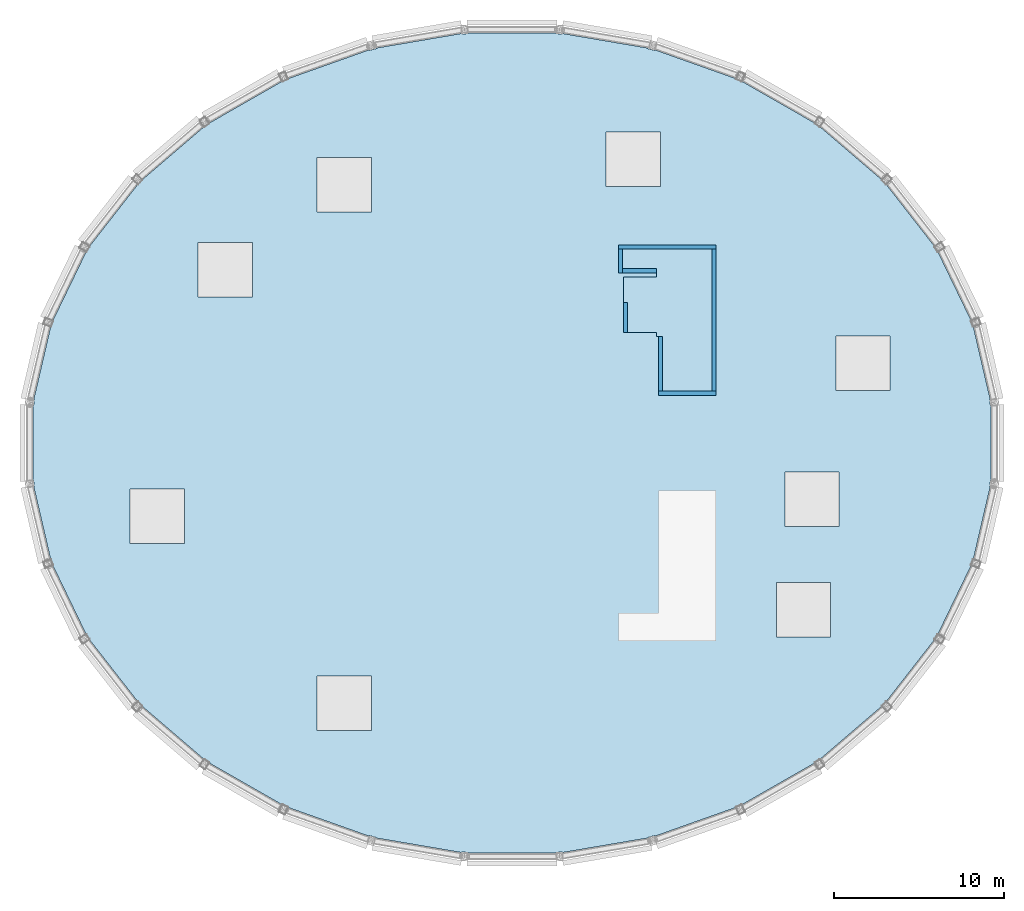
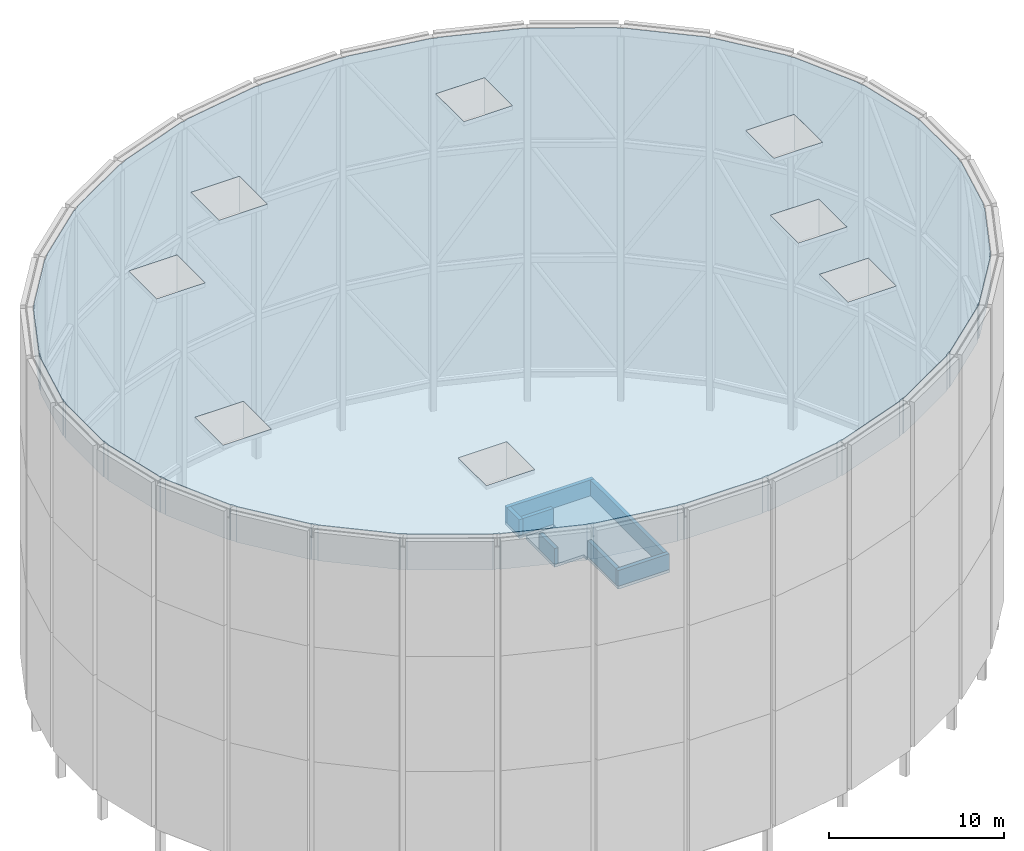
# One storey, part 7 of 8: 7 walls, 1 roof, 1 slab.
"""IFC4 building model written with IfcOpenShell, lengths in metres."""

from ifc_helpers import new_model, si_unit, direction, frame, frame_2d, origin, place, context, subcontext, project, spatial, polyline, rectangle, outline, extrude, material, layer, layer_set, type_object, element, save


model = new_model("IFC4")

# Units and contexts
model_context = context("Model", 3, precision=1e-05, world=origin(), true_north=direction((0.0, 1.0)))
body_context = subcontext(model_context, "Body", "Model", "MODEL_VIEW")
ifc_project = project(units=[si_unit("LENGTHUNIT", "METRE"), si_unit("AREAUNIT", "SQUARE_METRE"), si_unit("VOLUMEUNIT", "CUBIC_METRE"), si_unit("PLANEANGLEUNIT", "RADIAN"), si_unit("MASSUNIT", "GRAM", prefix="KILO")], contexts=[model_context])

# Site, building, storey
site_placement = place(None, origin())
site = spatial("IfcSite", under=ifc_project, at=site_placement, CompositionType="ELEMENT")
building_placement = place(site_placement, origin())
building = spatial("IfcBuilding", under=site, at=building_placement, Name="Halqa Exchange Tower", CompositionType="ELEMENT")
storey_placement = place(building_placement, frame((0.0, 0.0, 355.300048828125)))
storey = spatial("IfcBuildingStorey", under=building, at=storey_placement, Name="Roof level crown frame", CompositionType="ELEMENT", Elevation=355.300048828125)

# Slab
ifc_material_1 = material(Name="Concrete C30/37", Category="concrete")
ifc_layer_1 = layer(ifc_material_1, 0.199951171875)
ifc_layer_set_1 = layer_set([ifc_layer_1], Name="Concrete C30/37")
slab_type = type_object("IfcSlabType", Name="Head-house roof slab 200", PredefinedType="ROOF", material=ifc_layer_set_1)
slab_placement = place(storey_placement, frame((0.0, 0.0, -0.199951171875)))
element("IfcSlab", 1, at=slab_placement, inside=storey, type_object=slab_type, Name="Penthouse roof FF-N", PredefinedType="ROOF", context=body_context, shape_type="SweptSolid", body=[
    extrude(outline(polyline([(8.60009765625, 2.800048828125), (12.0, 2.800048828125), (12.0, 11.64990234375), (6.25, 11.64990234375), (6.25, 10.0), (8.5, 10.0), (8.5, 9.75), (6.550048828125, 9.75), (6.550048828125, 6.5), (8.5, 6.5), (8.5, 6.25), (8.60009765625, 6.25), (8.60009765625, 2.800048828125)])), origin(), (0.0, 0.0, 1.0), 0.199951171875),
])

# Walls
ifc_layer_2 = layer(ifc_material_1, 0.25)
ifc_layer_set_2 = layer_set([ifc_layer_2], Name="Concrete C30/37")
wall_type = type_object("IfcWallType", Name="Roof parapet 250 concrete", PredefinedType="PARAPET", material=ifc_layer_set_2)
wall_1_placement = place(storey_placement, frame((6.25, 11.52490234375, 0.0), z_axis=(0.0, 0.0, 1.0), x_axis=(1.0, 0.0, 0.0)))
element("IfcWall", 2, at=wall_1_placement, inside=storey, type_object=wall_type, Name="Roof parapet north", PredefinedType="PARAPET", context=body_context, shape_type="SweptSolid", body=[
    extrude(rectangle(XDim=5.75, YDim=0.25, at=frame_2d((2.875, 0.0))), origin(), (0.0, 0.0, 1.0), 1.099853515625),
])
wall_2_placement = place(storey_placement, frame((11.875, 3.050048828125, 0.0), z_axis=(0.0, 0.0, 1.0), x_axis=(0.0, 1.0, 0.0)))
element("IfcWall", 3, at=wall_2_placement, inside=storey, type_object=wall_type, Name="Roof parapet east", PredefinedType="PARAPET", context=body_context, shape_type="SweptSolid", body=[
    extrude(rectangle(XDim=8.349853515625, YDim=0.25, at=frame_2d((4.1748046875, 0.0))), origin(), (0.0, 0.0, 1.0), 1.099853515625),
])
wall_3_placement = place(storey_placement, frame((8.60009765625, 2.925048828125, 0.0), z_axis=(0.0, 0.0, 1.0), x_axis=(1.0, 0.0, 0.0)))
element("IfcWall", 4, at=wall_3_placement, inside=storey, type_object=wall_type, Name="Roof parapet south", PredefinedType="PARAPET", context=body_context, shape_type="SweptSolid", body=[
    extrude(rectangle(XDim=3.39990234375, YDim=0.25, at=frame_2d((1.699951171875, 0.0))), origin(), (0.0, 0.0, 1.0), 1.099853515625),
])
wall_4_placement = place(storey_placement, frame((8.72509765625, 3.050048828125, 0.0), z_axis=(0.0, 0.0, 1.0), x_axis=(0.0, 1.0, 0.0)))
element("IfcWall", 5, at=wall_4_placement, inside=storey, type_object=wall_type, Name="Roof parapet south west", PredefinedType="PARAPET", context=body_context, shape_type="SweptSolid", body=[
    extrude(rectangle(XDim=3.199951171875, YDim=0.25, at=frame_2d((1.60009765625, 0.0))), origin(), (0.0, 0.0, 1.0), 1.099853515625),
])
wall_5_placement = place(storey_placement, frame((6.375, 10.0, 0.0), z_axis=(0.0, 0.0, 1.0), x_axis=(0.0, 1.0, 0.0)))
element("IfcWall", 6, at=wall_5_placement, inside=storey, type_object=wall_type, Name="Roof parapet north west", PredefinedType="PARAPET", context=body_context, shape_type="SweptSolid", body=[
    extrude(rectangle(XDim=1.39990234375, YDim=0.25, at=frame_2d((0.699951171875, 0.0))), origin(), (0.0, 0.0, 1.0), 1.099853515625),
])
wall_6_placement = place(storey_placement, frame((6.25, 10.125, 0.0), z_axis=(0.0, 0.0, 1.0), x_axis=(1.0, 0.0, 0.0)))
element("IfcWall", 7, at=wall_6_placement, inside=storey, type_object=wall_type, Name="Roof parapet north arm south", PredefinedType="PARAPET", context=body_context, shape_type="SweptSolid", body=[
    extrude(rectangle(XDim=2.25, YDim=0.25, at=frame_2d((1.125, 0.0))), origin(), (0.0, 0.0, 1.0), 1.099853515625),
])
wall_7_placement = place(storey_placement, frame((6.675048828125, 6.5, 0.0), z_axis=(0.0, 0.0, 1.0), x_axis=(0.0, 1.0, 0.0)))
element("IfcWall", 8, at=wall_7_placement, inside=storey, type_object=wall_type, Name="Roof parapet well edge", PredefinedType="PARAPET", context=body_context, shape_type="SweptSolid", body=[
    extrude(rectangle(XDim=1.75, YDim=0.25, at=frame_2d((0.875, 0.0))), origin(), (0.0, 0.0, 1.0), 1.099853515625),
])

# Roof
ifc_material_2 = material(Name="Steel S355", Category="steel")
ifc_layer_3 = layer(ifc_material_2, 2.5)
ifc_layer_set_3 = layer_set([ifc_layer_3], Name="Steel S355")
roof_type = type_object("IfcRoofType", Name="Crown roof steel space frame 2500", PredefinedType="FLAT_ROOF", material=ifc_layer_set_3)
roof_placement = place(storey_placement, frame((0.0, 0.0, 23.5)))
element("IfcRoof", 9, at=roof_placement, inside=storey, type_object=roof_type, Name="Crown roof", PredefinedType="FLAT_ROOF", context=body_context, shape_type="SweptSolid", body=[
    extrude(outline(polyline([(28.1328125, -2.16162109375), (28.162841796875, -2.1650390625), (28.162841796875, 2.1650390625), (28.1328125, 2.16162109375), (28.086181640625, 2.56884765625), (28.1162109375, 2.572509765625), (27.129638671875, 6.822998046875), (27.100830078125, 6.81298828125), (26.964111328125, 7.199462890625), (26.993408203125, 7.209716796875), (25.0537109375, 11.223388671875), (25.02685546875, 11.206787109375), (24.809814453125, 11.5546875), (24.83740234375, 11.57177734375), (22.01220703125, 15.19580078125), (21.98828125, 15.1728515625), (21.704833984375, 15.468994140625), (21.729248046875, 15.492431640625), (18.12109375, 18.585205078125), (18.101318359375, 18.55712890625), (17.765869140625, 18.79296875), (17.785888671875, 18.821533203125), (13.52978515625, 21.25927734375), (13.514892578125, 21.226806640625), (13.14208984375, 21.397705078125), (13.1572265625, 21.430419921875), (8.41650390625, 23.113525390625), (8.4072265625, 23.078369140625), (8.010498046875, 23.181396484375), (8.019775390625, 23.217041015625), (2.9794921875, 24.076416015625), (2.976318359375, 24.039794921875), (2.56787109375, 24.07421875), (2.57080078125, 24.111083984375), (-2.57080078125, 24.111083984375), (-2.56787109375, 24.07421875), (-2.976318359375, 24.039794921875), (-2.9794921875, 24.076416015625), (-8.019775390625, 23.217041015625), (-8.010498046875, 23.181396484375), (-8.4072265625, 23.078369140625), (-8.41650390625, 23.113525390625), (-13.1572265625, 21.430419921875), (-13.14208984375, 21.397705078125), (-13.514892578125, 21.226806640625), (-13.52978515625, 21.25927734375), (-17.785888671875, 18.821533203125), (-17.765869140625, 18.79296875), (-18.101318359375, 18.55712890625), (-18.12109375, 18.585205078125), (-21.729248046875, 15.492431640625), (-21.704833984375, 15.468994140625), (-21.98828125, 15.1728515625), (-22.01220703125, 15.19580078125), (-24.83740234375, 11.57177734375), (-24.809814453125, 11.5546875), (-25.02685546875, 11.206787109375), (-25.0537109375, 11.223388671875), (-26.993408203125, 7.209716796875), (-26.964111328125, 7.199462890625), (-27.100830078125, 6.81298828125), (-27.129638671875, 6.822998046875), (-28.1162109375, 2.572509765625), (-28.086181640625, 2.56884765625), (-28.1328125, 2.16162109375), (-28.162841796875, 2.1650390625), (-28.162841796875, -2.1650390625), (-28.1328125, -2.16162109375), (-28.086181640625, -2.56884765625), (-28.1162109375, -2.572509765625), (-27.129638671875, -6.822998046875), (-27.100830078125, -6.81298828125), (-26.964111328125, -7.199462890625), (-26.993408203125, -7.209716796875), (-25.0537109375, -11.223388671875), (-25.02685546875, -11.206787109375), (-24.809814453125, -11.5546875), (-24.83740234375, -11.57177734375), (-22.01220703125, -15.19580078125), (-21.98828125, -15.1728515625), (-21.704833984375, -15.468994140625), (-21.729248046875, -15.492431640625), (-18.12109375, -18.585205078125), (-18.101318359375, -18.55712890625), (-17.765869140625, -18.79296875), (-17.785888671875, -18.821533203125), (-13.52978515625, -21.25927734375), (-13.514892578125, -21.226806640625), (-13.14208984375, -21.397705078125), (-13.1572265625, -21.430419921875), (-8.41650390625, -23.113525390625), (-8.4072265625, -23.078369140625), (-8.010498046875, -23.181396484375), (-8.019775390625, -23.217041015625), (-2.9794921875, -24.076416015625), (-2.976318359375, -24.039794921875), (-2.56787109375, -24.07421875), (-2.57080078125, -24.111083984375), (2.57080078125, -24.111083984375), (2.56787109375, -24.07421875), (2.976318359375, -24.039794921875), (2.9794921875, -24.076416015625), (8.019775390625, -23.217041015625), (8.010498046875, -23.181396484375), (8.4072265625, -23.078369140625), (8.41650390625, -23.113525390625), (13.1572265625, -21.430419921875), (13.14208984375, -21.397705078125), (13.514892578125, -21.226806640625), (13.52978515625, -21.25927734375), (17.785888671875, -18.821533203125), (17.765869140625, -18.79296875), (18.101318359375, -18.55712890625), (18.12109375, -18.585205078125), (21.729248046875, -15.492431640625), (21.704833984375, -15.468994140625), (21.98828125, -15.1728515625), (22.01220703125, -15.19580078125), (24.83740234375, -11.57177734375), (24.809814453125, -11.5546875), (25.02685546875, -11.206787109375), (25.0537109375, -11.223388671875), (26.993408203125, -7.209716796875), (26.964111328125, -7.199462890625), (27.100830078125, -6.81298828125), (27.129638671875, -6.822998046875), (28.1162109375, -2.572509765625), (28.086181640625, -2.56884765625), (28.1328125, -2.16162109375)]), holes=[polyline([(-11.462890625, -13.7109375), (-8.262939453125, -13.7109375), (-8.262939453125, -16.910888671875), (-11.462890625, -16.910888671875), (-11.462890625, -13.7109375)]), polyline([(15.537109375, -8.2109375), (18.737060546875, -8.2109375), (18.737060546875, -11.410888671875), (15.537109375, -11.410888671875), (15.537109375, -8.2109375)]), polyline([(-22.462890625, -2.7109375), (-19.262939453125, -2.7109375), (-19.262939453125, -5.910888671875), (-22.462890625, -5.910888671875), (-22.462890625, -2.7109375)]), polyline([(16.037109375, -1.7109375), (19.237060546875, -1.7109375), (19.237060546875, -4.910888671875), (16.037109375, -4.910888671875), (16.037109375, -1.7109375)]), polyline([(19.037109375, 6.2890625), (22.237060546875, 6.2890625), (22.237060546875, 3.089111328125), (19.037109375, 3.089111328125), (19.037109375, 6.2890625)]), polyline([(-18.462890625, 11.7890625), (-15.262939453125, 11.7890625), (-15.262939453125, 8.589111328125), (-18.462890625, 8.589111328125), (-18.462890625, 11.7890625)]), polyline([(-11.462890625, 16.7890625), (-8.262939453125, 16.7890625), (-8.262939453125, 13.589111328125), (-11.462890625, 13.589111328125), (-11.462890625, 16.7890625)]), polyline([(5.537109375, 18.2890625), (8.737060546875, 18.2890625), (8.737060546875, 15.089111328125), (5.537109375, 15.089111328125), (5.537109375, 18.2890625)])]), origin(), (0.0, 0.0, 1.0), 2.5),
])

save(model, "model.ifc")
